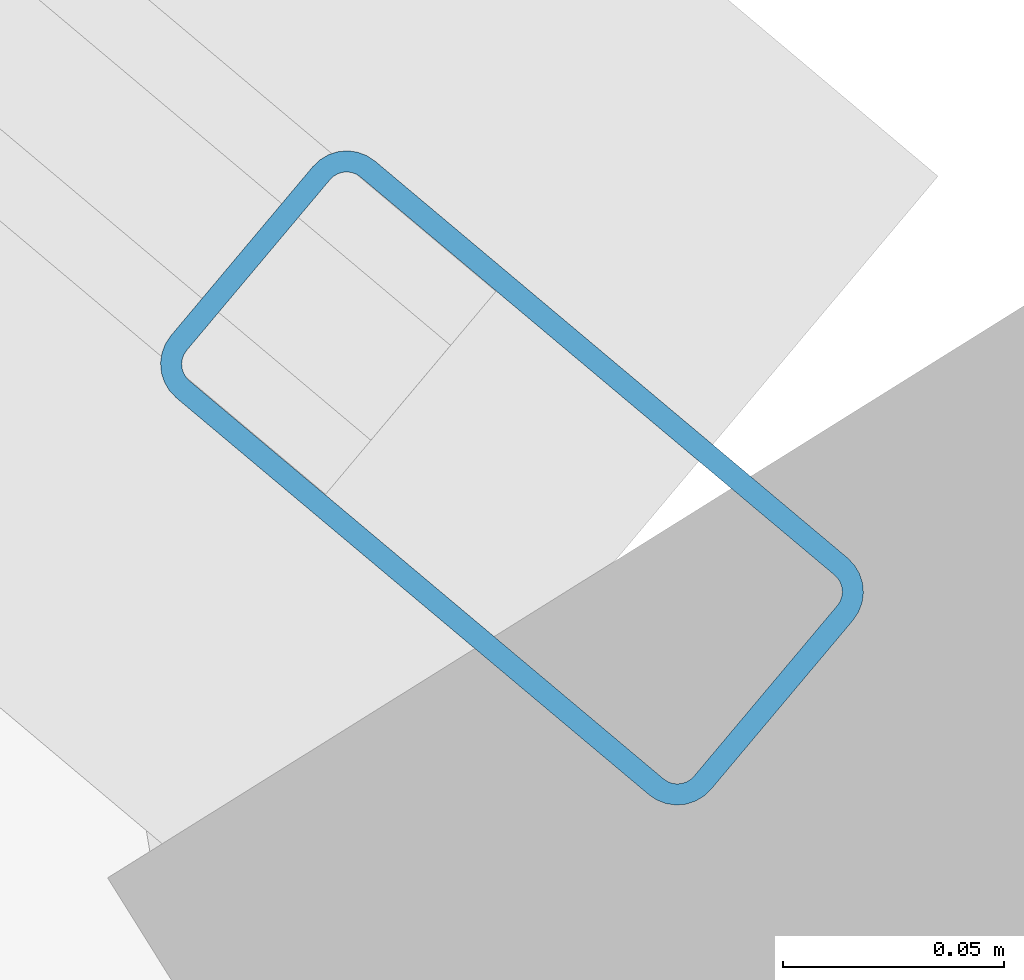
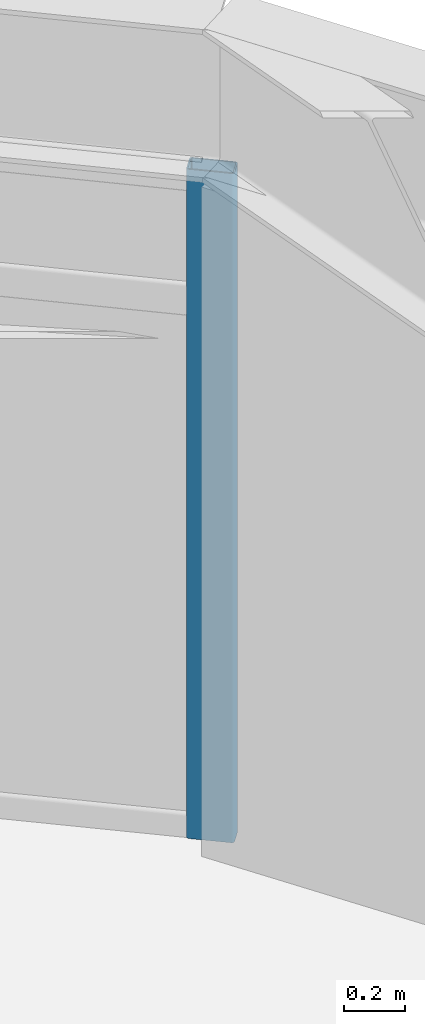
# One storey, part 11 of 22: 1 member, 1 element without a shape of its own.
"""IFC4 building model written with IfcOpenShell, lengths in metres."""

import ifcopenshell
import ifcopenshell.guid

model = None  # the IFC model being written
_history = None  # IfcOwnerHistory: only IFC2X3 demands one
_inside = {}  # id of a spatial element -> (the spatial element, [elements in it])
_under = {}  # id of a project, library or spatial element -> (it, [spatial elements below it])
_declared = {}  # id of a project -> (the project, [libraries it declares])
_typed = {}  # id of a type object -> (the type object, [elements of that type])
_made_of = {}  # id of a material, layer set ... -> (it, [elements and type objects made of it])


def new_model(schema):
    """Start an empty IFC model of exactly this schema.

    Asked for "IFC4X3", IfcOpenShell would pick the latest addendum, in which some entities
    have other attributes; the version numbers below select the first issue.
    IFC2X3 requires an IfcOwnerHistory on every rooted entity: one is made here for all.
    """
    global model, _history
    if schema == "IFC4X3":
        model = ifcopenshell.file(schema_version=(4, 3, 0, 0))
    else:
        model = ifcopenshell.file(schema=schema)
    _inside.clear()
    _under.clear()
    _declared.clear()
    _typed.clear()
    _made_of.clear()
    _history = None
    if model.schema == "IFC2X3":
        org = make("IfcOrganization", Name="unknown")
        user = make(
            "IfcPersonAndOrganization",
            ThePerson=make("IfcPerson", FamilyName="unknown"),
            TheOrganization=org,
        )
        app = make(
            "IfcApplication",
            ApplicationDeveloper=org,
            Version="unknown",
            ApplicationFullName="unknown",
            ApplicationIdentifier="unknown",
        )
        _history = make(
            "IfcOwnerHistory",
            OwningUser=user,
            OwningApplication=app,
            ChangeAction="ADDED",
            CreationDate=0,
        )
    return model


def make(cls, **values):
    """One entity of the class cls with the attributes given. An attribute that is None is left unset."""
    return model.create_entity(
        cls, **{name: value for name, value in values.items() if value is not None}
    )


def rooted(cls, **values):
    """An entity with a GlobalId (a new one), such as an element, a storey or a relation."""
    return make(cls, GlobalId=ifcopenshell.guid.new(), OwnerHistory=_history, **values)


def si_unit(unit_type, name, prefix=None):
    """IfcSIUnit, for example si_unit("LENGTHUNIT", "METRE", prefix="MILLI")."""
    return make("IfcSIUnit", UnitType=unit_type, Prefix=prefix, Name=name)


def assignment(units):
    """IfcUnitAssignment: the units of a project."""
    return None if units is None else make("IfcUnitAssignment", Units=units)


def point(xyz):
    """IfcCartesianPoint."""
    return None if xyz is None else make("IfcCartesianPoint", Coordinates=xyz)


def direction(xyz):
    """IfcDirection."""
    return None if xyz is None else make("IfcDirection", DirectionRatios=xyz)


def frame(location, z_axis=None, x_axis=None):
    """IfcAxis2Placement3D, a coordinate frame: its origin and axes. An axis left out is left unset."""
    return make(
        "IfcAxis2Placement3D",
        Location=point(location),
        Axis=direction(z_axis),
        RefDirection=direction(x_axis),
    )


def frame_2d(location, x_axis=None):
    """IfcAxis2Placement2D, a coordinate frame in the plane: its origin and x axis."""
    return make(
        "IfcAxis2Placement2D", Location=point(location), RefDirection=direction(x_axis)
    )


def origin():
    """The frame at (0, 0, 0) with its axes left unset."""
    return frame((0.0, 0.0, 0.0))


def origin_2d():
    """The frame at (0, 0) in the plane with its x axis left unset."""
    return frame_2d((0.0, 0.0))


def place(relative_to, where):
    """IfcLocalPlacement: puts the frame where relative to a parent placement (None: the world)."""
    return make(
        "IfcLocalPlacement", PlacementRelTo=relative_to, RelativePlacement=where
    )


def context(
    kind, dimensions, precision=None, world=None, true_north=None, identifier=None
):
    """IfcGeometricRepresentationContext, for example the 3D "Model" context."""
    return make(
        "IfcGeometricRepresentationContext",
        ContextIdentifier=identifier,
        ContextType=kind,
        CoordinateSpaceDimension=dimensions,
        Precision=precision,
        WorldCoordinateSystem=world,
        TrueNorth=true_north,
    )


def subcontext(parent, identifier, kind, view, scale=None):
    """IfcGeometricRepresentationSubContext, for example "Body" below "Model"."""
    return make(
        "IfcGeometricRepresentationSubContext",
        ContextIdentifier=identifier,
        ContextType=kind,
        ParentContext=parent,
        TargetScale=scale,
        TargetView=view,
    )


def project(units=None, contexts=None):
    """IfcProject with its units and contexts."""
    return rooted(
        "IfcProject",
        Name="project",
        RepresentationContexts=contexts,
        UnitsInContext=assignment(units),
    )


def spatial(cls, under=None, at=None, **own):
    """A site, building, storey or space (cls), placed at a placement, below another one or the project."""
    s = rooted(cls, ObjectPlacement=at, **own)
    if under is not None:
        _under.setdefault(under.id(), (under, []))[1].append(s)
    return s


def profile(cls, at=None, kind="AREA", **sizes):
    """A parametric profile (cls). Its sizes go by their IFC names, for example OverallWidth=200.0."""
    return make(cls, ProfileType=kind, Position=at, **sizes)


def hollow_rectangle(**sizes):
    """IfcRectangleHollowProfileDef."""
    return profile("IfcRectangleHollowProfileDef", **sizes)


def extrude(swept, where, along, depth):
    """IfcExtrudedAreaSolid: the profile swept, set in the frame where, extruded along a direction by depth."""
    return make(
        "IfcExtrudedAreaSolid",
        SweptArea=swept,
        Position=where,
        ExtrudedDirection=direction(along),
        Depth=depth,
    )


def shape(context_of_items, identifier, shape_type, items):
    """IfcShapeRepresentation: the items that make up one representation, for example the "Body"."""
    return make(
        "IfcShapeRepresentation",
        ContextOfItems=context_of_items,
        RepresentationIdentifier=identifier,
        RepresentationType=shape_type,
        Items=items,
    )


def material(Name=None, Category=None):
    """IfcMaterial."""
    return make("IfcMaterial", Name=Name, Category=Category)


def layer(
    of_material, thickness, ventilated=None, Name=None, Category=None, Priority=None
):
    """IfcMaterialLayer: one layer of a wall or slab, of a material (None: an air gap)."""
    return make(
        "IfcMaterialLayer",
        Material=of_material,
        LayerThickness=thickness,
        IsVentilated=ventilated,
        Name=Name,
        Category=Category,
        Priority=Priority,
    )


def layer_set(layers, Name=None):
    """IfcMaterialLayerSet."""
    return make("IfcMaterialLayerSet", MaterialLayers=layers, LayerSetName=Name)


def material_profile(
    of_material, cross_section, Name=None, Category=None, Priority=None
):
    """IfcMaterialProfile: a cross section and its material."""
    return make(
        "IfcMaterialProfile",
        Name=Name,
        Material=of_material,
        Profile=cross_section,
        Priority=Priority,
        Category=Category,
    )


def profile_set(profiles, Name=None, composite=None):
    """IfcMaterialProfileSet."""
    return make(
        "IfcMaterialProfileSet",
        Name=Name,
        MaterialProfiles=profiles,
        CompositeProfile=composite,
    )


def made_of(thing, what):
    """Note that an element or type object is made of a material, layer set ...; save() writes the relation."""
    if what is not None:
        _made_of.setdefault(what.id(), (what, []))[1].append(thing)
    return thing


def type_object(cls, material=None, **own):
    """A type object (cls), such as IfcWallType, which elements share."""
    return made_of(rooted(cls, **own), material)


def element(
    cls,
    number,
    at=None,
    inside=None,
    cuts=None,
    type_object=None,
    material=None,
    context=None,
    identifier="Body",
    shape_type=None,
    held_by="IfcProductDefinitionShape",
    body=None,
    shapes=None,
    **own,
):
    """One element of the class cls, such as IfcWall. Its Tag is "e" and its number.

    at: its placement. inside: the storey or other place that contains it. cuts: it is an
    opening in that element (IfcRelVoidsElement). A single representation is given by context,
    identifier, shape_type and body (its items); several are given by shapes. held_by: the class
    of the entity that holds the representations. save() writes the other relations.
    """
    e = rooted(cls, Tag="e%d" % number, ObjectPlacement=at, **own)
    if body is not None:
        shapes = [shape(context, identifier, shape_type, body)]
    if shapes is not None:
        e.Representation = make(held_by, Representations=shapes)
    if inside is not None:
        _inside.setdefault(inside.id(), (inside, []))[1].append(e)
    if cuts is not None:
        rooted(
            "IfcRelVoidsElement", RelatingBuildingElement=cuts, RelatedOpeningElement=e
        )
    if type_object is not None:
        _typed.setdefault(type_object.id(), (type_object, []))[1].append(e)
    return made_of(e, material)


def aggregate(whole, parts):
    """IfcRelAggregates: a whole, such as a stair, and the parts it consists of."""
    return rooted("IfcRelAggregates", RelatingObject=whole, RelatedObjects=parts)


def save(model, path):
    """Write the relations noted so far, then the file.

    IfcRelAggregates (storeys below a building ...), IfcRelContainedInSpatialStructure (elements
    in a storey), IfcRelDefinesByType, IfcRelAssociatesMaterial and IfcRelDeclares: one each for
    every whole, place, type object, material and project.
    """
    for whole, parts in _under.values():
        aggregate(whole, parts)
    for where, things in _inside.values():
        rooted(
            "IfcRelContainedInSpatialStructure",
            RelatedElements=things,
            RelatingStructure=where,
        )
    for kind, things in _typed.values():
        rooted("IfcRelDefinesByType", RelatedObjects=things, RelatingType=kind)
    for what, things in _made_of.values():
        rooted("IfcRelAssociatesMaterial", RelatedObjects=things, RelatingMaterial=what)
    for by, libraries in _declared.values():
        rooted("IfcRelDeclares", RelatingContext=by, RelatedDefinitions=libraries)
    model.write(path)


model = new_model("IFC4")

# Units and contexts
model_context = context("Model", 3, precision=1e-05, world=origin(), true_north=direction((0.0, 1.0)))
body_context = subcontext(model_context, "Body", "Model", "MODEL_VIEW")
ifc_project = project(units=[si_unit("LENGTHUNIT", "METRE"), si_unit("AREAUNIT", "SQUARE_METRE"), si_unit("VOLUMEUNIT", "CUBIC_METRE"), si_unit("PLANEANGLEUNIT", "RADIAN"), si_unit("MASSUNIT", "GRAM", prefix="KILO")], contexts=[model_context])

# Site, building, storey
site_placement = place(None, origin())
site = spatial("IfcSite", under=ifc_project, at=site_placement, CompositionType="ELEMENT")
building_placement = place(site_placement, origin())
building = spatial("IfcBuilding", under=site, at=building_placement, Name="Soratama Intermodal Tower", CompositionType="ELEMENT")
storey_placement = place(building_placement, frame((0.0, 0.0, 157.0)))
storey = spatial("IfcBuildingStorey", under=building, at=storey_placement, Name="L38", CompositionType="ELEMENT", Elevation=157.0)

# Curtain wall, member
ifc_material_1 = material(Name="Double-glazed aluminium curtain wall", Category="aluminium")
ifc_layer = layer(ifc_material_1, 0.159912109375)
ifc_layer_set = layer_set([ifc_layer], Name="Double-glazed aluminium curtain wall")
curtain_wall_type = type_object("IfcCurtainWallType", Name="CW-SYS-4", PredefinedType="NOTDEFINED", material=ifc_layer_set)
curtain_wall_placement = place(storey_placement, origin())
curtain_wall = element("IfcCurtainWall", 1, at=curtain_wall_placement, inside=storey, type_object=curtain_wall_type, Name="L38 Faceted Curtain Wall F01", PredefinedType="NOTDEFINED")
ifc_material_2 = material(Name="Anodised aluminium AA 6063-T6", Category="aluminium")
ifc_material_profile = material_profile(ifc_material_2, hollow_rectangle(XDim=0.070068359375, YDim=0.159912109375, WallThickness=0.0048828125, InnerFilletRadius=0.0048828125, OuterFilletRadius=0.010009765625, at=origin_2d()), Name="CWM160X70X5")
ifc_profile_set = profile_set([ifc_material_profile], Name="Anodised aluminium AA 6063-T6")
member_type = type_object("IfcMemberType", Name="MT-CWM-4", PredefinedType="MULLION", material=ifc_profile_set)
member_placement = place(storey_placement, frame((59.64794921875, 35.92822265625, 0.0), z_axis=(0.0, 0.0, 1.0), x_axis=(-0.643054816752, -0.76582015033, 0.0)))
member = element("IfcMember", 2, at=member_placement, type_object=member_type, Name="CW-4 mullion 1", PredefinedType="MULLION", context=body_context, shape_type="SweptSolid", body=[
    extrude(hollow_rectangle(XDim=0.070068359375, YDim=0.159912109375, WallThickness=0.0048828125, InnerFilletRadius=0.0048828125, OuterFilletRadius=0.010009765625, at=origin_2d()), origin(), (0.0, 0.0, 1.0), 2.678955078125),
])
aggregate(curtain_wall, [member])

save(model, "model.ifc")
